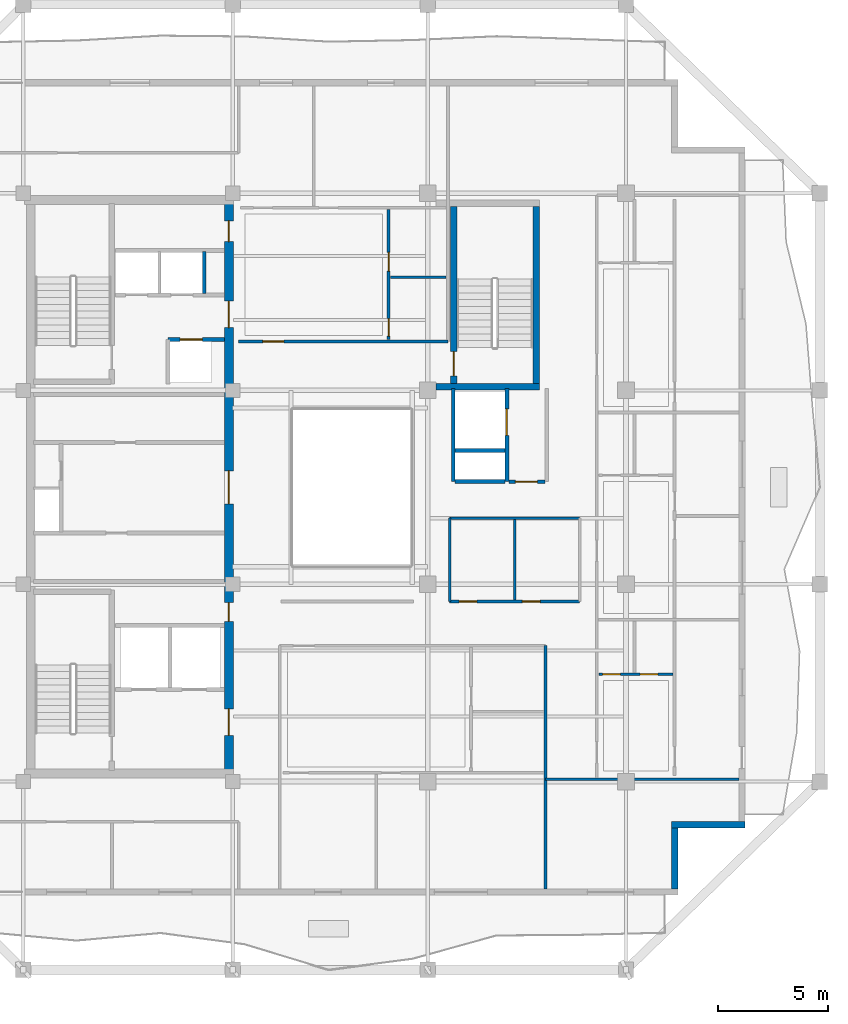
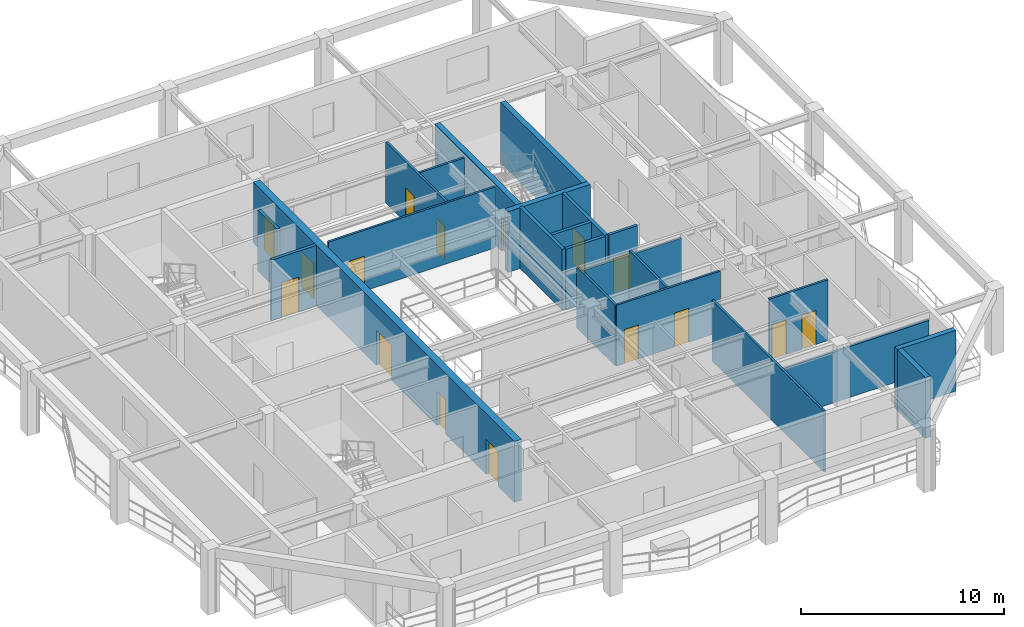
# One storey, part 4 of 10: 23 walls, 16 doors, 16 openings.
"""IFC4 building model written with IfcOpenShell, lengths in metres."""

from ifc_helpers import new_model, si_unit, direction, frame, frame_2d, origin, place, context, subcontext, project, spatial, rectangle, extrude, material, layer, layer_set, type_object, element, fill, save


model = new_model("IFC4")

# Units and contexts
model_context = context("Model", 3, precision=1e-05, world=origin(), true_north=direction((0.0, 1.0)))
body_context = subcontext(model_context, "Body", "Model", "MODEL_VIEW")
ifc_project = project(units=[si_unit("LENGTHUNIT", "METRE"), si_unit("AREAUNIT", "SQUARE_METRE"), si_unit("VOLUMEUNIT", "CUBIC_METRE"), si_unit("PLANEANGLEUNIT", "RADIAN"), si_unit("MASSUNIT", "GRAM", prefix="KILO")], contexts=[model_context])

# Site, building, storey
site_placement = place(None, origin())
site = spatial("IfcSite", under=ifc_project, at=site_placement, CompositionType="ELEMENT")
building_placement = place(site_placement, origin())
building = spatial("IfcBuilding", under=site, at=building_placement, Name="Kundavana Baori Tower", CompositionType="ELEMENT")
storey_placement = place(building_placement, frame((0.0, 0.0, 292.10009765625)))
storey = spatial("IfcBuildingStorey", under=building, at=storey_placement, Name="L72", CompositionType="ELEMENT", Elevation=292.10009765625)

# Wall, openings, doors
ifc_material_1 = material(Name="Concrete C50/60", Category="concrete")
ifc_layer_1 = layer(ifc_material_1, 0.39990234375, Name="WL-CORE-400")
ifc_layer_set_1 = layer_set([ifc_layer_1], Name="Concrete C50/60")
wall_type_1 = type_object("IfcWallType", Name="WL-CORE-400", PredefinedType="SHEAR", material=ifc_layer_set_1)
wall_1_placement = place(storey_placement, frame((24.780029296875, 15.739990234375, 0.0), z_axis=(0.0, 0.0, 1.0), x_axis=(0.0, 1.0, 0.0)))
wall_1 = element("IfcWall", 1, at=wall_1_placement, inside=storey, type_object=wall_type_1, Name="L72 Offset Core East Shear Wall", PredefinedType="SHEAR", context=body_context, shape_type="SweptSolid", body=[
    extrude(rectangle(XDim=25.760009765625, YDim=0.39990234375, at=frame_2d((12.8798828125, 0.0))), origin(), (0.0, 0.0, 1.0), 3.659912109375),
])
opening_1_placement = place(wall_1_placement, frame((1.610107421875, 0.0, 0.0)))
opening_1 = element("IfcOpeningElement", 2, at=opening_1_placement, cuts=wall_1, Name="Opening FD-120", PredefinedType="OPENING", context=body_context, shape_type="SweptSolid", body=[
    extrude(rectangle(XDim=1.199951171875, YDim=2.10009765625, at=frame_2d((0.60009765625, 1.050048828125))), frame((0.0, 0.2099609375, 0.0), z_axis=(0.0, -1.0, 0.0), x_axis=(1.0, 0.0, 0.0)), (0.0, 0.0, 1.0), 0.419921875),
])
opening_2_placement = place(wall_1_placement, frame((6.780029296875, 0.0, 0.0)))
opening_2 = element("IfcOpeningElement", 3, at=opening_2_placement, cuts=wall_1, Name="Opening FD-085", PredefinedType="OPENING", context=body_context, shape_type="SweptSolid", body=[
    extrude(rectangle(XDim=0.85009765625, YDim=2.06005859375, at=frame_2d((0.425048828125, 1.030029296875))), frame((0.0, 0.2099609375, 0.0), z_axis=(0.0, -1.0, 0.0), x_axis=(1.0, 0.0, 0.0)), (0.0, 0.0, 1.0), 0.419921875),
])
opening_3_placement = place(wall_1_placement, frame((12.110107421875, 0.0, 0.0)))
opening_3 = element("IfcOpeningElement", 4, at=opening_3_placement, cuts=wall_1, Name="Opening FD-150", PredefinedType="OPENING", context=body_context, shape_type="SweptSolid", body=[
    extrude(rectangle(XDim=1.5, YDim=2.1201171875, at=frame_2d((0.75, 1.06005859375))), frame((0.0, 0.2099609375, 0.0), z_axis=(0.0, -1.0, 0.0), x_axis=(1.0, 0.0, 0.0)), (0.0, 0.0, 1.0), 0.419921875),
])
opening_4_placement = place(wall_1_placement, frame((20.110107421875, 0.0, 0.0)))
opening_4 = element("IfcOpeningElement", 5, at=opening_4_placement, cuts=wall_1, Name="Opening FD-122", PredefinedType="OPENING", context=body_context, shape_type="SweptSolid", body=[
    extrude(rectangle(XDim=1.199951171875, YDim=2.1201171875, at=frame_2d((0.60009765625, 1.06005859375))), frame((0.0, 0.2099609375, 0.0), z_axis=(0.0, -1.0, 0.0), x_axis=(1.0, 0.0, 0.0)), (0.0, 0.0, 1.0), 0.419921875),
])
opening_5_placement = place(wall_1_placement, frame((24.010009765625, 0.0, 0.0)))
opening_5 = element("IfcOpeningElement", 6, at=opening_5_placement, cuts=wall_1, Name="Opening FD-095", PredefinedType="OPENING", context=body_context, shape_type="SweptSolid", body=[
    extrude(rectangle(XDim=0.949951171875, YDim=2.10009765625, at=frame_2d((0.47509765625, 1.050048828125))), frame((0.0, 0.2099609375, 0.0), z_axis=(0.0, -1.0, 0.0), x_axis=(1.0, 0.0, 0.0)), (0.0, 0.0, 1.0), 0.419921875),
])
ifc_material_2 = material(Name="Galvanised Steel Fire-Rated Door Leaf", Category="steel")
door_type_1 = type_object("IfcDoorType", Name="DR-FD120-1200", OperationType="NOTDEFINED", PredefinedType="DOOR", material=ifc_material_2)
door_1_placement = place(opening_1_placement, frame((1.199951171875, 0.0, 0.0), z_axis=(0.0, 0.0, 1.0), x_axis=(-1.0, 0.0, 0.0)))
door_1 = element("IfcDoor", 7, at=door_1_placement, inside=storey, type_object=door_type_1, Name="DR-L72-FFLOB-E", OperationType="SINGLE_SWING_RIGHT", OverallHeight=2.10009765625, OverallWidth=1.199951171875, PredefinedType="DOOR", context=body_context, shape_type="SweptSolid", body=[
    extrude(rectangle(XDim=1.199951171875, YDim=2.10009765625, at=frame_2d((0.60009765625, 1.050048828125))), frame((0.0, 0.02490234375, 0.0), z_axis=(0.0, -1.0, 0.0), x_axis=(1.0, 0.0, 0.0)), (0.0, 0.0, 1.0), 0.050048828125),
])
fill(opening_1, door_1)
ifc_material_3 = material(Name="Galvanised Steel Fire-Rated Door Leaf", Category="steel")
door_type_2 = type_object("IfcDoorType", Name="DR-FD60-1200", OperationType="NOTDEFINED", PredefinedType="DOOR", material=ifc_material_3)
door_2_placement = place(opening_4_placement, frame((1.199951171875, 0.0, 0.0), z_axis=(0.0, 0.0, 1.0), x_axis=(-1.0, 0.0, 0.0)))
door_2 = element("IfcDoor", 8, at=door_2_placement, inside=storey, type_object=door_type_2, Name="DR-L72-HRLOB-E", OperationType="SINGLE_SWING_RIGHT", OverallHeight=2.1201171875, OverallWidth=1.199951171875, PredefinedType="DOOR", context=body_context, shape_type="SweptSolid", body=[
    extrude(rectangle(XDim=1.199951171875, YDim=2.1201171875, at=frame_2d((0.60009765625, 1.06005859375))), frame((0.0, 0.02490234375, 0.0), z_axis=(0.0, -1.0, 0.0), x_axis=(1.0, 0.0, 0.0)), (0.0, 0.0, 1.0), 0.050048828125),
])
fill(opening_4, door_2)
ifc_material_4 = material(Name="Galvanised Steel Fire-Rated Door Leaf", Category="steel")
door_type_3 = type_object("IfcDoorType", Name="DR-FD60-1500", OperationType="NOTDEFINED", PredefinedType="DOOR", material=ifc_material_4)
door_3_placement = place(opening_3_placement, frame((1.5, 0.0, 0.0), z_axis=(0.0, 0.0, 1.0), x_axis=(-1.0, 0.0, 0.0)))
door_3 = element("IfcDoor", 9, at=door_3_placement, inside=storey, type_object=door_type_3, Name="DR-L72-LIFTHALL-E", OperationType="SINGLE_SWING_LEFT", OverallHeight=2.1201171875, OverallWidth=1.5, PredefinedType="DOOR", context=body_context, shape_type="SweptSolid", body=[
    extrude(rectangle(XDim=1.5, YDim=2.1201171875, at=frame_2d((0.75, 1.06005859375))), frame((0.0, 0.02490234375, 0.0), z_axis=(0.0, -1.0, 0.0), x_axis=(1.0, 0.0, 0.0)), (0.0, 0.0, 1.0), 0.050048828125),
])
fill(opening_3, door_3)
ifc_material_5 = material(Name="Galvanised Steel Fire-Rated Door Leaf", Category="steel")
door_type_4 = type_object("IfcDoorType", Name="DR-FD60-850", OperationType="NOTDEFINED", PredefinedType="DOOR", material=ifc_material_5)
door_4_placement = place(opening_2_placement, frame((0.85009765625, 0.0, 0.0), z_axis=(0.0, 0.0, 1.0), x_axis=(-1.0, 0.0, 0.0)))
door_4 = element("IfcDoor", 10, at=door_4_placement, inside=storey, type_object=door_type_4, Name="DR-L72-CSMK1", OperationType="SINGLE_SWING_LEFT", OverallHeight=2.06005859375, OverallWidth=0.85009765625, PredefinedType="DOOR", context=body_context, shape_type="SweptSolid", body=[
    extrude(rectangle(XDim=0.85009765625, YDim=2.06005859375, at=frame_2d((0.425048828125, 1.030029296875))), frame((0.0, 0.02490234375, 0.0), z_axis=(0.0, -1.0, 0.0), x_axis=(1.0, 0.0, 0.0)), (0.0, 0.0, 1.0), 0.050048828125),
])
fill(opening_2, door_4)
ifc_material_6 = material(Name="Engineered Teak Fire-Rated Timber Door Leaf", Category="wood")
door_type_5 = type_object("IfcDoorType", Name="DR-FD60-950", OperationType="NOTDEFINED", PredefinedType="DOOR", material=ifc_material_6)
door_5_placement = place(opening_5_placement, frame((0.949951171875, 0.0, 0.0), z_axis=(0.0, 0.0, 1.0), x_axis=(-1.0, 0.0, 0.0)))
door_5 = element("IfcDoor", 11, at=door_5_placement, inside=storey, type_object=door_type_5, Name="DR-L72-CSRV1", OperationType="SINGLE_SWING_LEFT", OverallHeight=2.10009765625, OverallWidth=0.949951171875, PredefinedType="DOOR", context=body_context, shape_type="SweptSolid", body=[
    extrude(rectangle(XDim=0.949951171875, YDim=2.10009765625, at=frame_2d((0.47509765625, 1.050048828125))), frame((0.0, 0.02490234375, 0.0), z_axis=(0.0, -1.0, 0.0), x_axis=(1.0, 0.0, 0.0)), (0.0, 0.0, 1.0), 0.050048828125),
])
fill(opening_5, door_5)

# Walls
ifc_material_7 = material(Name="Red-Buff Dholpur Sandstone Cladding on Concrete C40/50", Category="masonry")
ifc_layer_2 = layer(ifc_material_7, 0.280029296875, Name="WL-EXT-SAND-280")
ifc_layer_set_2 = layer_set([ifc_layer_2], Name="Red-Buff Dholpur Sandstone Cladding on Concrete C40/50")
wall_type_2 = type_object("IfcWallType", Name="WL-EXT-SAND-280", PredefinedType="STANDARD", material=ifc_layer_set_2)
wall_2_placement = place(storey_placement, frame((45.010009765625, 10.3798828125, 0.0), z_axis=(0.0, 0.0, 1.0), x_axis=(0.0, 1.0, 0.0)))
element("IfcWall", 12, at=wall_2_placement, inside=storey, type_object=wall_type_2, Name="L72 Exterior Insulated Facade Wall 02", PredefinedType="STANDARD", context=body_context, shape_type="SweptSolid", body=[
    extrude(rectangle(XDim=2.77001953125, YDim=0.280029296875, at=frame_2d((1.385009765625, 0.0))), origin(), (0.0, 0.0, 1.0), 3.659912109375),
])
wall_3_placement = place(storey_placement, frame((44.8701171875, 13.2900390625, 0.0), z_axis=(0.0, 0.0, 1.0), x_axis=(1.0, 0.0, 0.0)))
element("IfcWall", 13, at=wall_3_placement, inside=storey, type_object=wall_type_2, Name="L72 Exterior Insulated Facade Wall 03", PredefinedType="STANDARD", context=body_context, shape_type="SweptSolid", body=[
    extrude(rectangle(XDim=3.329833984375, YDim=0.280029296875, at=frame_2d((1.6650390625, 0.0))), origin(), (0.0, 0.0, 1.0), 3.659912109375),
])

# Wall, opening, door
ifc_material_8 = material(Name="Acoustic Gypsum Plasterboard on Galvanised Steel Studs", Category="steel")
ifc_layer_3 = layer(ifc_material_8, 0.1201171875, Name="WL-PART-120")
ifc_layer_set_3 = layer_set([ifc_layer_3], Name="Acoustic Gypsum Plasterboard on Galvanised Steel Studs")
wall_type_3 = type_object("IfcWallType", Name="WL-PART-120", PredefinedType="PARTITIONING", material=ifc_layer_set_3)
wall_4_placement = place(storey_placement, frame((25.219970703125, 35.219970703125, 0.0), z_axis=(0.0, 0.0, 1.0), x_axis=(1.0, 0.0, 0.0)))
wall_4 = element("IfcWall", 14, at=wall_4_placement, inside=storey, type_object=wall_type_3, Name="WL-L72-RN", PredefinedType="PARTITIONING", context=body_context, shape_type="SweptSolid", body=[
    extrude(rectangle(XDim=9.5, YDim=0.1201171875, at=frame_2d((4.75, 0.0))), origin(), (0.0, 0.0, 1.0), 3.659912109375),
])
opening_6_placement = place(wall_4_placement, frame((1.10009765625, 0.0, 0.0)))
opening_6 = element("IfcOpeningElement", 15, at=opening_6_placement, cuts=wall_4, Name="Opening FD-095", PredefinedType="OPENING", context=body_context, shape_type="SweptSolid", body=[
    extrude(rectangle(XDim=0.949951171875, YDim=2.10009765625, at=frame_2d((0.47509765625, 1.050048828125))), frame((0.0, 0.070068359375, 0.0), z_axis=(0.0, -1.0, 0.0), x_axis=(1.0, 0.0, 0.0)), (0.0, 0.0, 1.0), 0.14013671875),
])
door_6_placement = place(opening_6_placement, origin())
door_6 = element("IfcDoor", 16, at=door_6_placement, inside=storey, type_object=door_type_5, Name="DR-L72-N1-ENT", OperationType="SINGLE_SWING_LEFT", OverallHeight=2.10009765625, OverallWidth=0.949951171875, PredefinedType="DOOR", context=body_context, shape_type="SweptSolid", body=[
    extrude(rectangle(XDim=0.949951171875, YDim=2.10009765625, at=frame_2d((0.47509765625, 1.050048828125))), frame((0.0, 0.02490234375, 0.0), z_axis=(0.0, -1.0, 0.0), x_axis=(1.0, 0.0, 0.0)), (0.0, 0.0, 1.0), 0.050048828125),
])
fill(opening_6, door_6)

# Walls
wall_5_placement = place(storey_placement, frame((39.14990234375, 10.3798828125, 0.0), z_axis=(0.0, 0.0, 1.0), x_axis=(0.0, 1.0, 0.0)))
element("IfcWall", 17, at=wall_5_placement, inside=storey, type_object=wall_type_3, Name="WL-L72-RSEND", PredefinedType="PARTITIONING", context=body_context, shape_type="SweptSolid", body=[
    extrude(rectangle(XDim=11.0400390625, YDim=0.1201171875, at=frame_2d((5.52001953125, 0.0))), origin(), (0.0, 0.0, 1.0), 3.659912109375),
])
wall_6_placement = place(storey_placement, frame((39.14990234375, 15.35009765625, 0.0), z_axis=(0.0, 0.0, 1.0), x_axis=(1.0, 0.0, 0.0)))
element("IfcWall", 18, at=wall_6_placement, inside=storey, type_object=wall_type_3, Name="WL-L72-RES", PredefinedType="PARTITIONING", context=body_context, shape_type="SweptSolid", body=[
    extrude(rectangle(XDim=8.77001953125, YDim=0.1201171875, at=frame_2d((4.385009765625, 0.0))), origin(), (0.0, 0.0, 1.0), 3.059814453125),
])

# Wall, openings, doors
wall_7_placement = place(storey_placement, frame((34.800048828125, 23.419921875, 0.0), z_axis=(0.0, 0.0, 1.0), x_axis=(1.0, 0.0, 0.0)))
wall_7 = element("IfcWall", 19, at=wall_7_placement, inside=storey, type_object=wall_type_3, Name="WL-L72-ALS", PredefinedType="PARTITIONING", context=body_context, shape_type="SweptSolid", body=[
    extrude(rectangle(XDim=5.89990234375, YDim=0.1201171875, at=frame_2d((2.949951171875, 0.0))), origin(), (0.0, 0.0, 1.0), 3.659912109375),
])
opening_7_placement = place(wall_7_placement, frame((0.429931640625, 0.0, 0.0)))
opening_7 = element("IfcOpeningElement", 20, at=opening_7_placement, cuts=wall_7, Name="Opening WD-080", PredefinedType="OPENING", context=body_context, shape_type="SweptSolid", body=[
    extrude(rectangle(XDim=0.800048828125, YDim=2.050048828125, at=frame_2d((0.39990234375, 1.02490234375))), frame((0.0, 0.070068359375, 0.0), z_axis=(0.0, -1.0, 0.0), x_axis=(1.0, 0.0, 0.0)), (0.0, 0.0, 1.0), 0.14013671875),
])
opening_8_placement = place(wall_7_placement, frame((3.300048828125, 0.0, 0.0)))
opening_8 = element("IfcOpeningElement", 21, at=opening_8_placement, cuts=wall_7, Name="Opening WD-080", PredefinedType="OPENING", context=body_context, shape_type="SweptSolid", body=[
    extrude(rectangle(XDim=0.800048828125, YDim=2.050048828125, at=frame_2d((0.39990234375, 1.02490234375))), frame((0.0, 0.070068359375, 0.0), z_axis=(0.0, -1.0, 0.0), x_axis=(1.0, 0.0, 0.0)), (0.0, 0.0, 1.0), 0.14013671875),
])
ifc_material_9 = material(Name="Engineered Teak Solid-Core Timber Veneer", Category="wood")
door_type_6 = type_object("IfcDoorType", Name="DR-WET-800", OperationType="NOTDEFINED", PredefinedType="DOOR", material=ifc_material_9)
door_7_placement = place(opening_7_placement, origin())
door_7 = element("IfcDoor", 22, at=door_7_placement, inside=storey, type_object=door_type_6, Name="DR-L72-RALC1", OperationType="SINGLE_SWING_LEFT", OverallHeight=2.050048828125, OverallWidth=0.800048828125, PredefinedType="DOOR", context=body_context, shape_type="SweptSolid", body=[
    extrude(rectangle(XDim=0.800048828125, YDim=2.050048828125, at=frame_2d((0.39990234375, 1.02490234375))), frame((0.0, 0.02490234375, 0.0), z_axis=(0.0, -1.0, 0.0), x_axis=(1.0, 0.0, 0.0)), (0.0, 0.0, 1.0), 0.050048828125),
])
fill(opening_7, door_7)
door_8_placement = place(opening_8_placement, origin())
door_8 = element("IfcDoor", 23, at=door_8_placement, inside=storey, type_object=door_type_6, Name="DR-L72-RALC2", OperationType="SINGLE_SWING_LEFT", OverallHeight=2.050048828125, OverallWidth=0.800048828125, PredefinedType="DOOR", context=body_context, shape_type="SweptSolid", body=[
    extrude(rectangle(XDim=0.800048828125, YDim=2.050048828125, at=frame_2d((0.39990234375, 1.02490234375))), frame((0.0, 0.02490234375, 0.0), z_axis=(0.0, -1.0, 0.0), x_axis=(1.0, 0.0, 0.0)), (0.0, 0.0, 1.0), 0.050048828125),
])
fill(opening_8, door_8)

# Walls
wall_8_placement = place(storey_placement, frame((34.800048828125, 27.199951171875, 0.0), z_axis=(0.0, 0.0, 1.0), x_axis=(1.0, 0.0, 0.0)))
element("IfcWall", 24, at=wall_8_placement, inside=storey, type_object=wall_type_3, Name="WL-L72-ALN", PredefinedType="PARTITIONING", context=body_context, shape_type="SweptSolid", body=[
    extrude(rectangle(XDim=5.89990234375, YDim=0.1201171875, at=frame_2d((2.949951171875, 0.0))), origin(), (0.0, 0.0, 1.0), 3.35986328125),
])
wall_9_placement = place(storey_placement, frame((34.800048828125, 23.419921875, 0.0), z_axis=(0.0, 0.0, 1.0), x_axis=(0.0, 1.0, 0.0)))
element("IfcWall", 25, at=wall_9_placement, inside=storey, type_object=wall_type_3, Name="WL-L72-ALW", PredefinedType="PARTITIONING", context=body_context, shape_type="SweptSolid", body=[
    extrude(rectangle(XDim=3.780029296875, YDim=0.1201171875, at=frame_2d((1.89013671875, 0.0))), origin(), (0.0, 0.0, 1.0), 3.659912109375),
])
wall_10_placement = place(storey_placement, frame((37.75, 23.47998046875, 0.0), z_axis=(0.0, 0.0, 1.0), x_axis=(0.0, 1.0, 0.0)))
element("IfcWall", 26, at=wall_10_placement, inside=storey, type_object=wall_type_3, Name="WL-L72-ALD1", PredefinedType="PARTITIONING", context=body_context, shape_type="SweptSolid", body=[
    extrude(rectangle(XDim=3.659912109375, YDim=0.1201171875, at=frame_2d((1.830078125, 0.0))), origin(), (0.0, 0.0, 1.0), 3.659912109375),
])

# Wall, opening, door
ifc_material_10 = material(Name="Fire-Rated Gypsum Drywall on Galvanised Steel Studs", Category="steel")
ifc_layer_4 = layer(ifc_material_10, 0.14990234375, Name="WL-PART-150")
ifc_layer_set_4 = layer_set([ifc_layer_4], Name="Fire-Rated Gypsum Drywall on Galvanised Steel Studs")
wall_type_4 = type_object("IfcWallType", Name="WL-PART-150", PredefinedType="PARTITIONING", material=ifc_layer_set_4)
wall_11_placement = place(storey_placement, frame((37.47998046875, 28.860107421875, 0.0), z_axis=(0.0, 0.0, 1.0), x_axis=(1.0, 0.0, 0.0)))
wall_11 = element("IfcWall", 27, at=wall_11_placement, inside=storey, type_object=wall_type_4, Name="WL-L72-SVLOB-S", PredefinedType="PARTITIONING", context=body_context, shape_type="SweptSolid", body=[
    extrude(rectangle(XDim=1.64013671875, YDim=0.14990234375, at=frame_2d((0.820068359375, 0.0))), origin(), (0.0, 0.0, 1.0), 3.659912109375),
])
opening_9_placement = place(wall_11_placement, frame((0.300048828125, 0.0, 0.0)))
opening_9 = element("IfcOpeningElement", 28, at=opening_9_placement, cuts=wall_11, Name="Opening FD-100", PredefinedType="OPENING", context=body_context, shape_type="SweptSolid", body=[
    extrude(rectangle(XDim=1.0, YDim=2.10009765625, at=frame_2d((0.5, 1.050048828125))), frame((0.0, 0.0849609375, 0.0), z_axis=(0.0, -1.0, 0.0), x_axis=(1.0, 0.0, 0.0)), (0.0, 0.0, 1.0), 0.169921875),
])
ifc_material_11 = material(Name="Engineered Teak Fire-Rated Timber Door Leaf", Category="wood")
door_type_7 = type_object("IfcDoorType", Name="DR-FD60-1000", OperationType="NOTDEFINED", PredefinedType="DOOR", material=ifc_material_11)
door_9_placement = place(opening_9_placement, origin())
door_9 = element("IfcDoor", 29, at=door_9_placement, inside=storey, type_object=door_type_7, Name="DR-L72-SVLOB-OUT", OperationType="SINGLE_SWING_LEFT", OverallHeight=2.10009765625, OverallWidth=1.0, PredefinedType="DOOR", context=body_context, shape_type="SweptSolid", body=[
    extrude(rectangle(XDim=1.0, YDim=2.10009765625, at=frame_2d((0.5, 1.050048828125))), frame((0.0, 0.02490234375, 0.0), z_axis=(0.0, -1.0, 0.0), x_axis=(1.0, 0.0, 0.0)), (0.0, 0.0, 1.0), 0.050048828125),
])
fill(opening_9, door_9)

ifc_material_12 = material(Name="Autoclaved Aerated Concrete Blockwork Masonry", Category="masonry")
ifc_layer_5 = layer(ifc_material_12, 0.179931640625, Name="WL-SHAFT-180")
ifc_layer_set_5 = layer_set([ifc_layer_5], Name="Autoclaved Aerated Concrete Blockwork Masonry")
wall_type_5 = type_object("IfcWallType", Name="WL-SHAFT-180", PredefinedType="SOLIDWALL", material=ifc_layer_set_5)
wall_12_placement = place(storey_placement, frame((22.02001953125, 35.31005859375, 0.0), z_axis=(0.0, 0.0, 1.0), x_axis=(1.0, 0.0, 0.0)))
wall_12 = element("IfcWall", 30, at=wall_12_placement, inside=storey, type_object=wall_type_5, Name="WL-L72-LP11-N", PredefinedType="SOLIDWALL", context=body_context, shape_type="SweptSolid", body=[
    extrude(rectangle(XDim=2.56005859375, YDim=0.179931640625, at=frame_2d((1.280029296875, 0.0))), origin(), (0.0, 0.0, 1.0), 3.659912109375),
])
opening_10_placement = place(wall_12_placement, frame((0.550048828125, 0.0, 0.0)))
opening_10 = element("IfcOpeningElement", 31, at=opening_10_placement, cuts=wall_12, Name="Opening LD-100", PredefinedType="OPENING", context=body_context, shape_type="SweptSolid", body=[
    extrude(rectangle(XDim=1.0, YDim=2.10009765625, at=frame_2d((0.5, 1.050048828125))), frame((0.0, 0.10009765625, 0.0), z_axis=(0.0, -1.0, 0.0), x_axis=(1.0, 0.0, 0.0)), (0.0, 0.0, 1.0), 0.199951171875),
])
ifc_material_13 = material(Name="Galvanised Steel Fire-Rated Door Leaf", Category="steel")
door_type_8 = type_object("IfcDoorType", Name="DR-SLIDE-LD1000", OperationType="NOTDEFINED", PredefinedType="DOOR", material=ifc_material_13)
door_10_placement = place(opening_10_placement, origin())
door_10 = element("IfcDoor", 32, at=door_10_placement, inside=storey, type_object=door_type_8, Name="DR-L72-LD-LP11", OperationType="DOUBLE_DOOR_SLIDING", OverallHeight=2.10009765625, OverallWidth=1.0, PredefinedType="DOOR", context=body_context, shape_type="SweptSolid", body=[
    extrude(rectangle(XDim=1.0, YDim=2.10009765625, at=frame_2d((0.5, 1.050048828125))), frame((0.0, 0.02490234375, 0.0), z_axis=(0.0, -1.0, 0.0), x_axis=(1.0, 0.0, 0.0)), (0.0, 0.0, 1.0), 0.050048828125),
])
fill(opening_10, door_10)

# Walls
wall_13_placement = place(storey_placement, frame((23.659912109375, 37.39990234375, 0.0), z_axis=(0.0, 0.0, 1.0), x_axis=(0.0, 1.0, 0.0)))
element("IfcWall", 33, at=wall_13_placement, inside=storey, type_object=wall_type_5, Name="WL-L72-HR-DIV2", PredefinedType="SOLIDWALL", context=body_context, shape_type="SweptSolid", body=[
    extrude(rectangle(XDim=1.900146484375, YDim=0.179931640625, at=frame_2d((0.9501953125, 0.0))), origin(), (0.0, 0.0, 1.0), 3.659912109375),
])
wall_14_placement = place(storey_placement, frame((34.9599609375, 28.860107421875, 0.0), z_axis=(0.0, 0.0, 1.0), x_axis=(0.0, 1.0, 0.0)))
element("IfcWall", 34, at=wall_14_placement, inside=storey, type_object=wall_type_5, Name="WL-L72-SVL-W", PredefinedType="SOLIDWALL", context=body_context, shape_type="SweptSolid", body=[
    extrude(rectangle(XDim=4.219970703125, YDim=0.179931640625, at=frame_2d((2.10986328125, 0.0))), origin(), (0.0, 0.0, 1.0), 3.659912109375),
])

# Wall, opening, door
wall_15_placement = place(storey_placement, frame((37.389892578125, 28.860107421875, 0.0), z_axis=(0.0, 0.0, 1.0), x_axis=(0.0, 1.0, 0.0)))
wall_15 = element("IfcWall", 35, at=wall_15_placement, inside=storey, type_object=wall_type_5, Name="WL-L72-SVL-E", PredefinedType="SOLIDWALL", context=body_context, shape_type="SweptSolid", body=[
    extrude(rectangle(XDim=4.219970703125, YDim=0.179931640625, at=frame_2d((2.10986328125, 0.0))), origin(), (0.0, 0.0, 1.0), 3.659912109375),
])
opening_11_placement = place(wall_15_placement, frame((2.10009765625, 0.0, 0.0)))
opening_11 = element("IfcOpeningElement", 36, at=opening_11_placement, cuts=wall_15, Name="Opening LD-120", PredefinedType="OPENING", context=body_context, shape_type="SweptSolid", body=[
    extrude(rectangle(XDim=1.199951171875, YDim=2.1201171875, at=frame_2d((0.60009765625, 1.06005859375))), frame((0.0, 0.10009765625, 0.0), z_axis=(0.0, -1.0, 0.0), x_axis=(1.0, 0.0, 0.0)), (0.0, 0.0, 1.0), 0.199951171875),
])
ifc_material_14 = material(Name="Galvanised Steel Fire-Rated Door Leaf", Category="steel")
door_type_9 = type_object("IfcDoorType", Name="DR-SLIDE-LD1200", OperationType="NOTDEFINED", PredefinedType="DOOR", material=ifc_material_14)
door_11_placement = place(opening_11_placement, frame((1.199951171875, 0.0, 0.0), z_axis=(0.0, 0.0, 1.0), x_axis=(-1.0, 0.0, 0.0)))
door_11 = element("IfcDoor", 37, at=door_11_placement, inside=storey, type_object=door_type_9, Name="DR-L72-LD-SVL1", OperationType="DOUBLE_DOOR_SLIDING", OverallHeight=2.1201171875, OverallWidth=1.199951171875, PredefinedType="DOOR", context=body_context, shape_type="SweptSolid", body=[
    extrude(rectangle(XDim=1.199951171875, YDim=2.1201171875, at=frame_2d((0.60009765625, 1.06005859375))), frame((0.0, 0.02490234375, 0.0), z_axis=(0.0, -1.0, 0.0), x_axis=(1.0, 0.0, 0.0)), (0.0, 0.0, 1.0), 0.050048828125),
])
fill(opening_11, door_11)

# Walls
for number, where, z_axis, x_axis, name in (
    (38, (35.050048828125, 28.860107421875, 0.0), (0.0, 0.0, 1.0), (1.0, 0.0, 0.0), "WL-L72-SVL-S"),
    (39, (35.050048828125, 30.27001953125, 0.0), (0.0, 0.0, 1.0), (1.0, 0.0, 0.0), "WL-L72-SVL-M"),
):
    element("IfcWall", number, at=place(storey_placement, frame(where, z_axis=z_axis, x_axis=x_axis)), inside=storey, type_object=wall_type_5, Name=name, PredefinedType="SOLIDWALL", context=body_context, shape_type="SweptSolid", body=[
        extrude(rectangle(XDim=2.25, YDim=0.179931640625, at=frame_2d((1.125, 0.0))), origin(), (0.0, 0.0, 1.0), 3.659912109375),
    ])
ifc_material_15 = material(Name="Concrete C50/60", Category="concrete")
ifc_layer_6 = layer(ifc_material_15, 0.300048828125, Name="WL-ST3-300")
ifc_layer_set_6 = layer_set([ifc_layer_6], Name="Concrete C50/60")
wall_type_6 = type_object("IfcWallType", Name="WL-ST3-300", PredefinedType="SHEAR", material=ifc_layer_set_6)
wall_16_placement = place(storey_placement, frame((34.175048828125, 33.159912109375, 0.0), z_axis=(0.0, 0.0, 1.0), x_axis=(1.0, 0.0, 0.0)))
element("IfcWall", 40, at=wall_16_placement, inside=storey, type_object=wall_type_6, Name="L72 Stair ST3 South Shear Wall", PredefinedType="SHEAR", context=body_context, shape_type="SweptSolid", body=[
    extrude(rectangle(XDim=4.695068359375, YDim=0.300048828125, at=frame_2d((2.34765625, 0.0))), origin(), (0.0, 0.0, 1.0), 3.659912109375),
])

# Wall, opening, door
wall_17_placement = place(storey_placement, frame((34.97998046875, 33.31005859375, 0.0), z_axis=(0.0, 0.0, 1.0), x_axis=(0.0, 1.0, 0.0)))
wall_17 = element("IfcWall", 41, at=wall_17_placement, inside=storey, type_object=wall_type_6, Name="L72 Stair ST3 West Shear Wall", PredefinedType="SHEAR", context=body_context, shape_type="SweptSolid", body=[
    extrude(rectangle(XDim=8.030029296875, YDim=0.300048828125, at=frame_2d((4.01513671875, 0.0))), origin(), (0.0, 0.0, 1.0), 3.659912109375),
])
opening_12_placement = place(wall_17_placement, frame((0.35009765625, 0.0, 0.0)))
opening_12 = element("IfcOpeningElement", 42, at=opening_12_placement, cuts=wall_17, Name="Opening FD-110", PredefinedType="OPENING", context=body_context, shape_type="SweptSolid", body=[
    extrude(rectangle(XDim=1.10009765625, YDim=2.10009765625, at=frame_2d((0.550048828125, 1.050048828125))), frame((0.0, 0.16015625, 0.0), z_axis=(0.0, -1.0, 0.0), x_axis=(1.0, 0.0, 0.0)), (0.0, 0.0, 1.0), 0.320068359375),
])
ifc_material_16 = material(Name="Galvanised Steel Fire-Rated Door Leaf", Category="steel")
door_type_10 = type_object("IfcDoorType", Name="DR-FD120-1100", OperationType="NOTDEFINED", PredefinedType="DOOR", material=ifc_material_16)
door_12_placement = place(opening_12_placement, origin())
door_12 = element("IfcDoor", 43, at=door_12_placement, inside=storey, type_object=door_type_10, Name="DR-L72-ST3-W", OperationType="SINGLE_SWING_LEFT", OverallHeight=2.10009765625, OverallWidth=1.10009765625, PredefinedType="DOOR", context=body_context, shape_type="SweptSolid", body=[
    extrude(rectangle(XDim=1.10009765625, YDim=2.10009765625, at=frame_2d((0.550048828125, 1.050048828125))), frame((0.0, 0.02490234375, 0.0), z_axis=(0.0, -1.0, 0.0), x_axis=(1.0, 0.0, 0.0)), (0.0, 0.0, 1.0), 0.050048828125),
])
fill(opening_12, door_12)

# Wall
wall_18_placement = place(storey_placement, frame((38.719970703125, 33.31005859375, 0.0), z_axis=(0.0, 0.0, 1.0), x_axis=(0.0, 1.0, 0.0)))
element("IfcWall", 44, at=wall_18_placement, inside=storey, type_object=wall_type_6, Name="L72 Stair ST3 East Shear Wall", PredefinedType="SHEAR", context=body_context, shape_type="SweptSolid", body=[
    extrude(rectangle(XDim=8.030029296875, YDim=0.300048828125, at=frame_2d((4.01513671875, 0.0))), origin(), (0.0, 0.0, 1.0), 3.659912109375),
])

# Wall, openings, doors
ifc_material_17 = material(Name="Autoclaved Aerated Concrete Blockwork Masonry", Category="masonry")
ifc_layer_7 = layer(ifc_material_17, 0.125, Name="WL-WET-120")
ifc_layer_set_7 = layer_set([ifc_layer_7], Name="Autoclaved Aerated Concrete Blockwork Masonry")
wall_type_7 = type_object("IfcWallType", Name="WL-WET-120", PredefinedType="PLUMBINGWALL", material=ifc_layer_set_7)
wall_19_placement = place(storey_placement, frame((32.02490234375, 35.300048828125, 0.0), z_axis=(0.0, 0.0, 1.0), x_axis=(0.0, 1.0, 0.0)))
wall_19 = element("IfcWall", 45, at=wall_19_placement, inside=storey, type_object=wall_type_7, Name="WL-L72-N1-KT", PredefinedType="PLUMBINGWALL", context=body_context, shape_type="SweptSolid", body=[
    extrude(rectangle(XDim=5.909912109375, YDim=0.125, at=frame_2d((2.955078125, 0.0))), origin(), (0.0, 0.0, 1.0), 3.659912109375),
])
opening_13_placement = place(wall_19_placement, frame((0.159912109375, 0.0, 0.0)))
opening_13 = element("IfcOpeningElement", 46, at=opening_13_placement, cuts=wall_19, Name="Opening WD-080", PredefinedType="OPENING", context=body_context, shape_type="SweptSolid", body=[
    extrude(rectangle(XDim=0.800048828125, YDim=2.050048828125, at=frame_2d((0.39990234375, 1.02490234375))), frame((0.0, 0.072509765625, 0.0), z_axis=(0.0, -1.0, 0.0), x_axis=(1.0, 0.0, 0.0)), (0.0, 0.0, 1.0), 0.14501953125),
])
opening_14_placement = place(wall_19_placement, frame((3.116943359375, 0.0, 0.0)))
opening_14 = element("IfcOpeningElement", 47, at=opening_14_placement, cuts=wall_19, Name="Opening ID-085", PredefinedType="OPENING", context=body_context, shape_type="SweptSolid", body=[
    extrude(rectangle(XDim=0.85009765625, YDim=2.080078125, at=frame_2d((0.425048828125, 1.0400390625))), frame((0.0, 0.072509765625, 0.0), z_axis=(0.0, -1.0, 0.0), x_axis=(1.0, 0.0, 0.0)), (0.0, 0.0, 1.0), 0.14501953125),
])
ifc_material_18 = material(Name="Engineered Teak Solid-Core Timber Veneer", Category="wood")
door_type_11 = type_object("IfcDoorType", Name="DR-INT-850", OperationType="NOTDEFINED", PredefinedType="DOOR", material=ifc_material_18)
door_13_placement = place(opening_14_placement, origin())
door_13 = element("IfcDoor", 48, at=door_13_placement, inside=storey, type_object=door_type_11, Name="DR-L72-N1-KT", OperationType="SINGLE_SWING_RIGHT", OverallHeight=2.080078125, OverallWidth=0.85009765625, PredefinedType="DOOR", context=body_context, shape_type="SweptSolid", body=[
    extrude(rectangle(XDim=0.85009765625, YDim=2.080078125, at=frame_2d((0.425048828125, 1.0400390625))), frame((0.0, 0.02490234375, 0.0), z_axis=(0.0, -1.0, 0.0), x_axis=(1.0, 0.0, 0.0)), (0.0, 0.0, 1.0), 0.050048828125),
])
fill(opening_14, door_13)
door_14_placement = place(opening_13_placement, origin())
door_14 = element("IfcDoor", 49, at=door_14_placement, inside=storey, type_object=door_type_6, Name="DR-L72-N1-BT", OperationType="SINGLE_SWING_LEFT", OverallHeight=2.050048828125, OverallWidth=0.800048828125, PredefinedType="DOOR", context=body_context, shape_type="SweptSolid", body=[
    extrude(rectangle(XDim=0.800048828125, YDim=2.050048828125, at=frame_2d((0.39990234375, 1.02490234375))), frame((0.0, 0.02490234375, 0.0), z_axis=(0.0, -1.0, 0.0), x_axis=(1.0, 0.0, 0.0)), (0.0, 0.0, 1.0), 0.050048828125),
])
fill(opening_13, door_14)

# Wall
wall_20_placement = place(storey_placement, frame((32.10498046875, 38.136962890625, 0.0), z_axis=(0.0, 0.0, 1.0), x_axis=(1.0, 0.0, 0.0)))
element("IfcWall", 50, at=wall_20_placement, inside=storey, type_object=wall_type_7, Name="WL-L72-N1-BT", PredefinedType="PLUMBINGWALL", context=body_context, shape_type="SweptSolid", body=[
    extrude(rectangle(XDim=2.534912109375, YDim=0.125, at=frame_2d((1.267578125, 0.0))), origin(), (0.0, 0.0, 1.0), 3.659912109375),
])

# Wall, openings, doors
wall_21_placement = place(storey_placement, frame((41.580078125, 20.1201171875, 0.0), z_axis=(0.0, 0.0, 1.0), x_axis=(1.0, 0.0, 0.0)))
wall_21 = element("IfcWall", 51, at=wall_21_placement, inside=storey, type_object=wall_type_7, Name="WL-L72-E1-KH", PredefinedType="PLUMBINGWALL", context=body_context, shape_type="SweptSolid", body=[
    extrude(rectangle(XDim=3.343994140625, YDim=0.125, at=frame_2d((1.671875, 0.0))), origin(), (0.0, 0.0, 1.0), 3.659912109375),
])
opening_15_placement = place(wall_21_placement, frame((0.159912109375, 0.0, 0.0)))
opening_15 = element("IfcOpeningElement", 52, at=opening_15_placement, cuts=wall_21, Name="Opening WD-080", PredefinedType="OPENING", context=body_context, shape_type="SweptSolid", body=[
    extrude(rectangle(XDim=0.800048828125, YDim=2.050048828125, at=frame_2d((0.39990234375, 1.02490234375))), frame((0.0, 0.072509765625, 0.0), z_axis=(0.0, -1.0, 0.0), x_axis=(1.0, 0.0, 0.0)), (0.0, 0.0, 1.0), 0.14501953125),
])
opening_16_placement = place(wall_21_placement, frame((1.864990234375, 0.0, 0.0)))
opening_16 = element("IfcOpeningElement", 53, at=opening_16_placement, cuts=wall_21, Name="Opening WD-080", PredefinedType="OPENING", context=body_context, shape_type="SweptSolid", body=[
    extrude(rectangle(XDim=0.800048828125, YDim=2.050048828125, at=frame_2d((0.39990234375, 1.02490234375))), frame((0.0, 0.072509765625, 0.0), z_axis=(0.0, -1.0, 0.0), x_axis=(1.0, 0.0, 0.0)), (0.0, 0.0, 1.0), 0.14501953125),
])
door_15_placement = place(opening_15_placement, origin())
door_15 = element("IfcDoor", 54, at=door_15_placement, inside=storey, type_object=door_type_6, Name="DR-L72-E1-BT", OperationType="SINGLE_SWING_LEFT", OverallHeight=2.050048828125, OverallWidth=0.800048828125, PredefinedType="DOOR", context=body_context, shape_type="SweptSolid", body=[
    extrude(rectangle(XDim=0.800048828125, YDim=2.050048828125, at=frame_2d((0.39990234375, 1.02490234375))), frame((0.0, 0.02490234375, 0.0), z_axis=(0.0, -1.0, 0.0), x_axis=(1.0, 0.0, 0.0)), (0.0, 0.0, 1.0), 0.050048828125),
])
fill(opening_15, door_15)
door_16_placement = place(opening_16_placement, origin())
door_16 = element("IfcDoor", 55, at=door_16_placement, inside=storey, type_object=door_type_6, Name="DR-L72-E1-KT", OperationType="SINGLE_SWING_RIGHT", OverallHeight=2.050048828125, OverallWidth=0.800048828125, PredefinedType="DOOR", context=body_context, shape_type="SweptSolid", body=[
    extrude(rectangle(XDim=0.800048828125, YDim=2.050048828125, at=frame_2d((0.39990234375, 1.02490234375))), frame((0.0, 0.02490234375, 0.0), z_axis=(0.0, -1.0, 0.0), x_axis=(1.0, 0.0, 0.0)), (0.0, 0.0, 1.0), 0.050048828125),
])
fill(opening_16, door_16)

save(model, "model.ifc")
